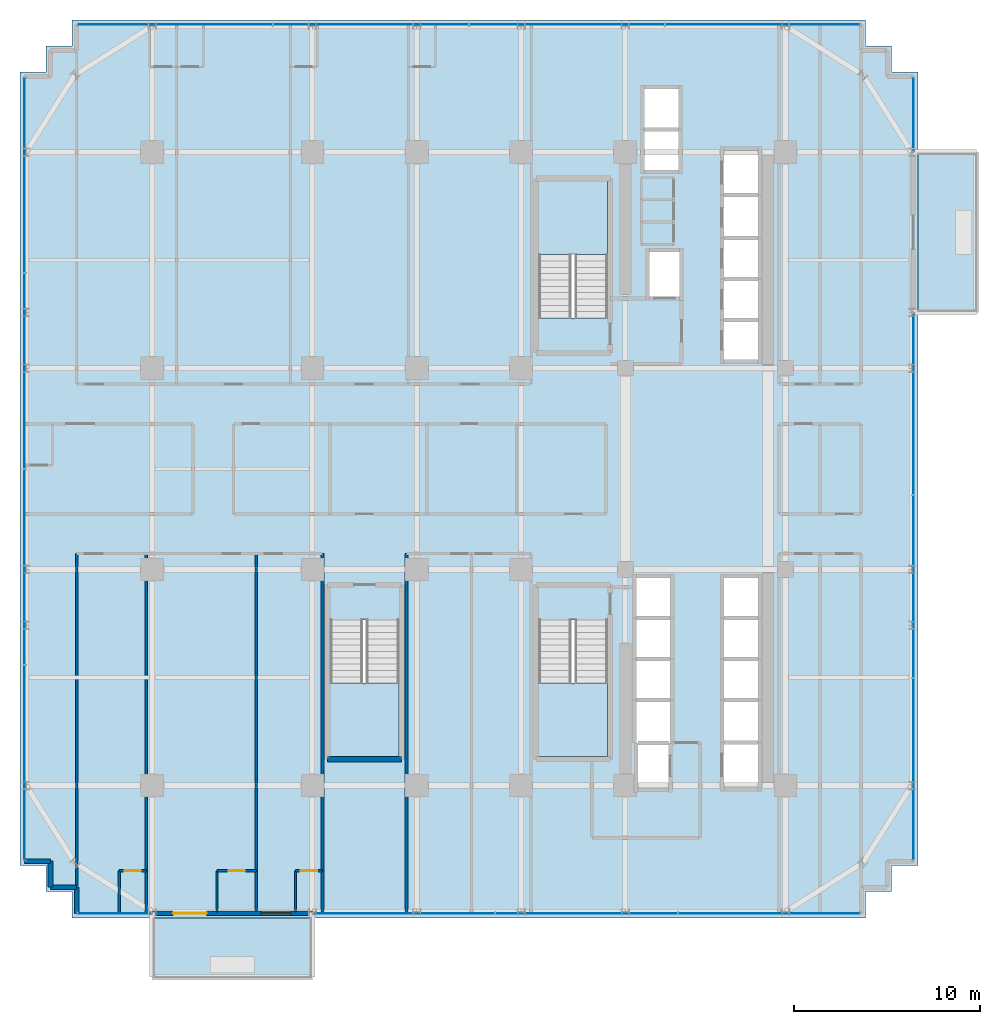
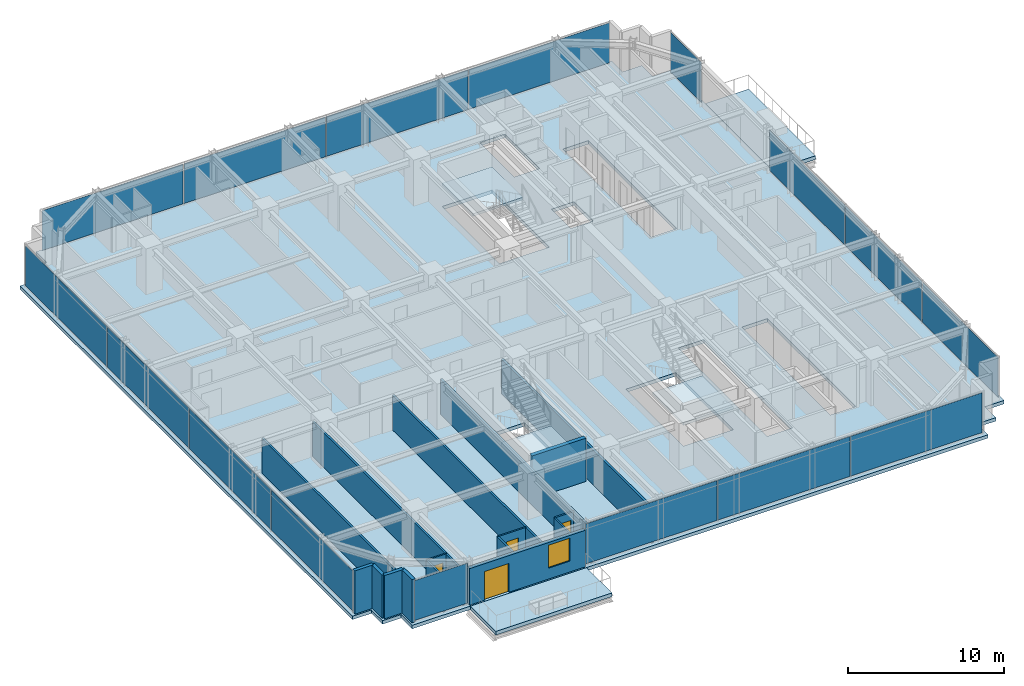
# One storey, part 26 of 33: 17 walls, 16 plates, 6 slabs, 4 doors, 1 window, 5 openings, 9 elements without a shape of their own.
"""IFC4 building model written with IfcOpenShell, lengths in metres."""

from ifc_helpers import new_model, si_unit, direction, frame, frame_2d, origin, origin_2d, place, context, subcontext, project, spatial, polyline, rectangle, outline, extrude, source, transform, mapped, material, layer, layer_set, type_object, element, fill, aggregate, save


model = new_model("IFC4")

# Units and contexts
model_context = context("Model", 3, precision=1e-05, world=origin(), true_north=direction((0.0, 1.0)))
body_context = subcontext(model_context, "Body", "Model", "MODEL_VIEW")
ifc_project = project(units=[si_unit("LENGTHUNIT", "METRE"), si_unit("AREAUNIT", "SQUARE_METRE"), si_unit("VOLUMEUNIT", "CUBIC_METRE"), si_unit("PLANEANGLEUNIT", "RADIAN"), si_unit("MASSUNIT", "GRAM", prefix="KILO")], contexts=[model_context])

# Site, building, storey
site_placement = place(None, origin())
site = spatial("IfcSite", under=ifc_project, at=site_placement, CompositionType="ELEMENT")
building_placement = place(site_placement, origin())
building = spatial("IfcBuilding", under=site, at=building_placement, Name="Nahalor Promenade Grand Hotel", CompositionType="ELEMENT")
storey_placement = place(building_placement, frame((0.0, 0.0, 132.10009765625)))
storey = spatial("IfcBuildingStorey", under=building, at=storey_placement, Name="L33", CompositionType="ELEMENT", Elevation=132.10009765625)

# Stair, slab
ifc_material_1 = material(Name="Concrete B-50 (C40/50)", Category="concrete")
stair_type_1 = type_object("IfcStairType", Name="Stair-ST1", PredefinedType="HALF_TURN_STAIR", material=ifc_material_1)
stair_1_placement = place(storey_placement, origin())
stair_1 = element("IfcStair", 1, at=stair_1_placement, inside=storey, type_object=stair_type_1, Name="L33 ST1", PredefinedType="HALF_TURN_STAIR")
ifc_layer_1 = layer(ifc_material_1, 0.199951171875)
ifc_layer_set_1 = layer_set([ifc_layer_1], Name="Concrete B-50 (C40/50)")
slab_type_1 = type_object("IfcSlabType", Name="Landing-ST1", PredefinedType="LANDING", material=ifc_layer_set_1)
slab_1_placement = place(storey_placement, frame((0.0, 0.0, 1.625)))
slab_1 = element("IfcSlab", 2, at=slab_1_placement, type_object=slab_type_1, Name="ST1 landing 1", PredefinedType="LANDING", context=body_context, shape_type="SweptSolid", body=[
    extrude(outline(polyline([(7.449951171875, 11.5), (7.449951171875, 15.449951171875), (3.75, 15.449951171875), (3.75, 11.5), (7.449951171875, 11.5)])), origin(), (0.0, 0.0, 1.0), 0.199951171875),
])
aggregate(stair_1, [slab_1])

stair_type_2 = type_object("IfcStairType", Name="Stair-ST2", PredefinedType="HALF_TURN_STAIR", material=ifc_material_1)
stair_2_placement = place(storey_placement, origin())
stair_2 = element("IfcStair", 3, at=stair_2_placement, inside=storey, type_object=stair_type_2, Name="L33 ST2", PredefinedType="HALF_TURN_STAIR")
ifc_layer_2 = layer(ifc_material_1, 0.2099609375)
ifc_layer_set_2 = layer_set([ifc_layer_2], Name="Concrete B-50 (C40/50)")
slab_type_2 = type_object("IfcSlabType", Name="Landing-ST2", PredefinedType="LANDING", material=ifc_layer_set_2)
slab_2_placement = place(storey_placement, frame((0.0, 0.0, 1.614990234375)))
slab_2 = element("IfcSlab", 4, at=slab_2_placement, type_object=slab_type_2, Name="ST2 landing 1", PredefinedType="LANDING", context=body_context, shape_type="SweptSolid", body=[
    extrude(outline(polyline([(3.75, -11.5), (3.75, -15.449951171875), (7.449951171875, -15.449951171875), (7.449951171875, -11.5), (3.75, -11.5)])), origin(), (0.0, 0.0, 1.0), 0.2099609375),
])
aggregate(stair_2, [slab_2])

stair_type_3 = type_object("IfcStairType", Name="Stair-ST3", PredefinedType="HALF_TURN_STAIR", material=ifc_material_1)
stair_3_placement = place(storey_placement, origin())
stair_3 = element("IfcStair", 5, at=stair_3_placement, inside=storey, type_object=stair_type_3, Name="L33 ST3", PredefinedType="HALF_TURN_STAIR")
ifc_layer_3 = layer(ifc_material_1, 0.219970703125)
ifc_layer_set_3 = layer_set([ifc_layer_3], Name="Concrete B-50 (C40/50)")
slab_type_3 = type_object("IfcSlabType", Name="Landing-ST3", PredefinedType="LANDING", material=ifc_layer_set_3)
slab_3_placement = place(storey_placement, frame((0.0, 0.0, 1.60498046875)))
slab_3 = element("IfcSlab", 6, at=slab_3_placement, type_object=slab_type_3, Name="ST3 landing 1", PredefinedType="LANDING", context=body_context, shape_type="SweptSolid", body=[
    extrude(outline(polyline([(-7.449951171875, -11.5), (-7.449951171875, -15.449951171875), (-3.75, -15.449951171875), (-3.75, -11.5), (-7.449951171875, -11.5)])), origin(), (0.0, 0.0, 1.0), 0.219970703125),
])
aggregate(stair_3, [slab_3])

# Slabs
ifc_layer_4 = layer(ifc_material_1, 0.280029296875)
ifc_layer_set_4 = layer_set([ifc_layer_4], Name="Concrete B-50 (C40/50)")
slab_type_4 = type_object("IfcSlabType", Name="Slab-Balcony-280", PredefinedType="FLOOR", material=ifc_layer_set_4)
slab_4_placement = place(storey_placement, frame((0.0, 0.0, -0.280029296875)))
element("IfcSlab", 7, at=slab_4_placement, inside=storey, type_object=slab_type_4, Name="L33 Cantilevered Planted Balcony 1", PredefinedType="FLOOR", context=body_context, shape_type="SweptSolid", body=[
    extrude(outline(polyline([(-17.0, -27.3701171875), (-8.39990234375, -27.3701171875), (-8.39990234375, -24.10009765625), (-17.0, -24.10009765625), (-17.0, -27.3701171875)])), origin(), (0.0, 0.0, 1.0), 0.280029296875),
])
slab_5_placement = place(storey_placement, frame((0.0, 0.0, -0.280029296875)))
element("IfcSlab", 8, at=slab_5_placement, inside=storey, type_object=slab_type_4, Name="L33 Cantilevered Planted Balcony 2", PredefinedType="FLOOR", context=body_context, shape_type="SweptSolid", body=[
    extrude(outline(polyline([(24.10009765625, 8.39990234375), (27.320068359375, 8.39990234375), (27.320068359375, 17.0), (24.10009765625, 17.0), (24.10009765625, 8.39990234375)])), origin(), (0.0, 0.0, 1.0), 0.280029296875),
])
ifc_layer_5 = layer(ifc_material_1, 0.27001953125)
ifc_layer_set_5 = layer_set([ifc_layer_5], Name="Concrete B-50 (C40/50)")
slab_type_5 = type_object("IfcSlabType", Name="Slab-TowerZ2-270", PredefinedType="FLOOR", material=ifc_layer_set_5)
slab_6_placement = place(storey_placement, frame((0.0, 0.0, -0.27001953125)))
element("IfcSlab", 9, at=slab_6_placement, inside=storey, type_object=slab_type_5, Name="L33 Suspended Structural Floor Slab", PredefinedType="FLOOR", context=body_context, shape_type="SweptSolid", body=[
    extrude(outline(polyline([(-21.300048828125, -24.10009765625), (21.300048828125, -24.10009765625), (21.300048828125, -22.699951171875), (22.699951171875, -22.699951171875), (22.699951171875, -21.300048828125), (24.10009765625, -21.300048828125), (24.10009765625, 21.300048828125), (22.699951171875, 21.300048828125), (22.699951171875, 22.699951171875), (21.300048828125, 22.699951171875), (21.300048828125, 24.10009765625), (-21.300048828125, 24.10009765625), (-21.300048828125, 22.699951171875), (-22.699951171875, 22.699951171875), (-22.699951171875, 21.300048828125), (-24.10009765625, 21.300048828125), (-24.10009765625, -21.300048828125), (-22.699951171875, -21.300048828125), (-22.699951171875, -22.699951171875), (-21.300048828125, -22.699951171875), (-21.300048828125, -24.10009765625)]), holes=[polyline([(3.75, 8.10009765625), (7.449951171875, 8.10009765625), (7.449951171875, 15.449951171875), (3.75, 15.449951171875), (3.75, 8.10009765625)]), polyline([(3.75, -15.449951171875), (7.449951171875, -15.449951171875), (7.449951171875, -8.10009765625), (3.75, -8.10009765625), (3.75, -15.449951171875)]), polyline([(-7.449951171875, -15.449951171875), (-3.75, -15.449951171875), (-3.75, -8.10009765625), (-7.449951171875, -8.10009765625), (-7.449951171875, -15.449951171875)]), polyline([(13.659912109375, 5.81005859375), (15.5400390625, 5.81005859375), (15.5400390625, 17.139892578125), (13.659912109375, 17.139892578125), (13.659912109375, 5.81005859375)]), polyline([(13.659912109375, -17.139892578125), (15.5400390625, -17.139892578125), (15.5400390625, -5.81005859375), (13.659912109375, -5.81005859375), (13.659912109375, -17.139892578125)]), polyline([(8.9599609375, -17.18994140625), (10.840087890625, -17.18994140625), (10.840087890625, -5.81005859375), (8.9599609375, -5.81005859375), (8.9599609375, -17.18994140625)]), polyline([(9.409912109375, 16.010009765625), (11.2900390625, 16.010009765625), (11.2900390625, 20.43994140625), (9.409912109375, 20.43994140625), (9.409912109375, 16.010009765625)]), polyline([(9.659912109375, 9.2099609375), (11.340087890625, 9.2099609375), (11.340087890625, 11.68994140625), (9.659912109375, 11.68994140625), (9.659912109375, 9.2099609375)])]), origin(), (0.0, 0.0, 1.0), 0.27001953125),
])

# Curtain wall, plate
ifc_material_2 = material(Name="Anodised Bronze Aluminium EN AW-6063 T6", Category="aluminium")
curtain_wall_type = type_object("IfcCurtainWallType", Name="CW2 Typical Hotel Flush Bronze Unitised Curtain Wall", PredefinedType="USERDEFINED", material=ifc_material_2)
curtain_wall_1_placement = place(storey_placement, origin())
curtain_wall_1 = element("IfcCurtainWall", 10, at=curtain_wall_1_placement, inside=storey, type_object=curtain_wall_type, Name="L33 Curtain Wall CW-L33-S-1", ObjectType="UNITISED_CURTAIN_WALL", PredefinedType="USERDEFINED")
ifc_material_3 = material(Name="Low-E Laminated Solar Glass", Category="glass")
ifc_layer_6 = layer(ifc_material_3, 0.028076171875)
ifc_layer_set_6 = layer_set([ifc_layer_6], Name="Low-E Laminated Solar Glass")
plate_type = type_object("IfcPlateType", Name="CWP2 Bronze Low-E Vision IGU 28mm", PredefinedType="CURTAIN_PANEL", material=ifc_layer_set_6)
shared_shape_1 = source(origin(), body_context, "Body", "SweptSolid", [
    extrude(rectangle(XDim=3.929931640625, YDim=0.028076171875, at=origin_2d()), origin(), (0.0, 0.0, 1.0), 3.1201171875),
])
plate_1_placement = place(storey_placement, frame((-19.030029296875, -23.860107421875, 0.1298828125), z_axis=(0.0, 0.0, 1.0), x_axis=(1.0, 0.0, 0.0)))
plate_1 = element("IfcPlate", 11, at=plate_1_placement, type_object=plate_type, Name="CW-L33-S-1 Glazing Panel 0-0", PredefinedType="CURTAIN_PANEL", context=body_context, shape_type="MappedRepresentation", body=[
    mapped(shared_shape_1, transform((0.0, 0.0, 0.0), scale=1.0)),
])
aggregate(curtain_wall_1, [plate_1])

curtain_wall_2_placement = place(storey_placement, origin())
curtain_wall_2 = element("IfcCurtainWall", 12, at=curtain_wall_2_placement, inside=storey, type_object=curtain_wall_type, Name="L33 Curtain Wall CW-L33-E-3", ObjectType="UNITISED_CURTAIN_WALL", PredefinedType="USERDEFINED")
plate_2_placement = place(storey_placement, frame((23.860107421875, 19.030029296875, 0.1298828125), z_axis=(0.0, 0.0, 1.0), x_axis=(0.0, 1.0, 0.0)))
plate_2 = element("IfcPlate", 13, at=plate_2_placement, type_object=plate_type, Name="CW-L33-E-3 Glazing Panel 0-0", PredefinedType="CURTAIN_PANEL", context=body_context, shape_type="MappedRepresentation", body=[
    mapped(shared_shape_1, transform((0.0, 0.0, 0.0), scale=1.0)),
])
aggregate(curtain_wall_2, [plate_2])

# Curtain wall, plates
curtain_wall_3_placement = place(storey_placement, origin())
curtain_wall_3 = element("IfcCurtainWall", 14, at=curtain_wall_3_placement, inside=storey, type_object=curtain_wall_type, Name="L33 Curtain Wall CW-L33-S-3", ObjectType="UNITISED_CURTAIN_WALL", PredefinedType="USERDEFINED")
shared_shape_2 = source(origin(), body_context, "Body", "SweptSolid", [
    extrude(rectangle(XDim=9.722412109375, YDim=0.028076171875, at=origin_2d()), origin(), (0.0, 0.0, 1.0), 3.1201171875),
])
plate_3_placement = place(storey_placement, frame((-3.4736328125, -23.860107421875, 0.1298828125), z_axis=(0.0, 0.0, 1.0), x_axis=(1.0, 0.0, 0.0)))
plate_3 = element("IfcPlate", 15, at=plate_3_placement, type_object=plate_type, Name="CW-L33-S-3 Glazing Panel 0-0", PredefinedType="CURTAIN_PANEL", context=body_context, shape_type="MappedRepresentation", body=[
    mapped(shared_shape_2, transform((0.0, 0.0, 0.0), scale=1.0)),
])
plate_4_placement = place(storey_placement, frame((16.1337890625, -23.860107421875, 0.1298828125), z_axis=(0.0, 0.0, 1.0), x_axis=(1.0, 0.0, 0.0)))
plate_4 = element("IfcPlate", 16, at=plate_4_placement, type_object=plate_type, Name="CW-L33-S-3 Glazing Panel 2-0", PredefinedType="CURTAIN_PANEL", context=body_context, shape_type="MappedRepresentation", body=[
    mapped(shared_shape_2, transform((0.0, 0.0, 0.0), scale=1.0)),
])

curtain_wall_4_placement = place(storey_placement, origin())
curtain_wall_4 = element("IfcCurtainWall", 17, at=curtain_wall_4_placement, inside=storey, type_object=curtain_wall_type, Name="L33 Curtain Wall CW-L33-E-1", ObjectType="UNITISED_CURTAIN_WALL", PredefinedType="USERDEFINED")
plate_5_placement = place(storey_placement, frame((23.860107421875, -16.1337890625, 0.1298828125), z_axis=(0.0, 0.0, 1.0), x_axis=(0.0, 1.0, 0.0)))
plate_5 = element("IfcPlate", 18, at=plate_5_placement, type_object=plate_type, Name="CW-L33-E-1 Glazing Panel 0-0", PredefinedType="CURTAIN_PANEL", context=body_context, shape_type="MappedRepresentation", body=[
    mapped(shared_shape_2, transform((0.0, 0.0, 0.0), scale=1.0)),
])
plate_6_placement = place(storey_placement, frame((23.860107421875, 3.4736328125, 0.1298828125), z_axis=(0.0, 0.0, 1.0), x_axis=(0.0, 1.0, 0.0)))
plate_6 = element("IfcPlate", 19, at=plate_6_placement, type_object=plate_type, Name="CW-L33-E-1 Glazing Panel 2-0", PredefinedType="CURTAIN_PANEL", context=body_context, shape_type="MappedRepresentation", body=[
    mapped(shared_shape_2, transform((0.0, 0.0, 0.0), scale=1.0)),
])

# Plate
shared_shape_3 = source(origin(), body_context, "Body", "SweptSolid", [
    extrude(rectangle(XDim=9.7548828125, YDim=0.028076171875, at=origin_2d()), origin(), (0.0, 0.0, 1.0), 3.1201171875),
])
plate_7_placement = place(storey_placement, frame((6.330078125, -23.860107421875, 0.1298828125), z_axis=(0.0, 0.0, 1.0), x_axis=(1.0, 0.0, 0.0)))
plate_7 = element("IfcPlate", 20, at=plate_7_placement, type_object=plate_type, Name="CW-L33-S-3 Glazing Panel 1-0", PredefinedType="CURTAIN_PANEL", context=body_context, shape_type="MappedRepresentation", body=[
    mapped(shared_shape_3, transform((0.0, 0.0, 0.0), scale=1.0)),
])

aggregate(curtain_wall_3, [plate_3, plate_7, plate_4])

plate_8_placement = place(storey_placement, frame((23.860107421875, -6.330078125, 0.1298828125), z_axis=(0.0, 0.0, 1.0), x_axis=(0.0, 1.0, 0.0)))
plate_8 = element("IfcPlate", 21, at=plate_8_placement, type_object=plate_type, Name="CW-L33-E-1 Glazing Panel 1-0", PredefinedType="CURTAIN_PANEL", context=body_context, shape_type="MappedRepresentation", body=[
    mapped(shared_shape_3, transform((0.0, 0.0, 0.0), scale=1.0)),
])

aggregate(curtain_wall_4, [plate_5, plate_8, plate_6])

# Curtain wall, plates
curtain_wall_5_placement = place(storey_placement, origin())
curtain_wall_5 = element("IfcCurtainWall", 22, at=curtain_wall_5_placement, inside=storey, type_object=curtain_wall_type, Name="L33 Curtain Wall CW-L33-N-1", ObjectType="UNITISED_CURTAIN_WALL", PredefinedType="USERDEFINED")
shared_shape_4 = source(origin(), body_context, "Body", "SweptSolid", [
    extrude(rectangle(XDim=10.4326171875, YDim=0.028076171875, at=origin_2d()), origin(), (0.0, 0.0, 1.0), 3.1201171875),
])
plate_9_placement = place(storey_placement, frame((-15.77880859375, 23.860107421875, 0.1298828125), z_axis=(0.0, 0.0, 1.0), x_axis=(1.0, 0.0, 0.0)))
plate_9 = element("IfcPlate", 23, at=plate_9_placement, type_object=plate_type, Name="CW-L33-N-1 Glazing Panel 0-0", PredefinedType="CURTAIN_PANEL", context=body_context, shape_type="MappedRepresentation", body=[
    mapped(shared_shape_4, transform((0.0, 0.0, 0.0), scale=1.0)),
])
plate_10_placement = place(storey_placement, frame((15.77880859375, 23.860107421875, 0.1298828125), z_axis=(0.0, 0.0, 1.0), x_axis=(1.0, 0.0, 0.0)))
plate_10 = element("IfcPlate", 24, at=plate_10_placement, type_object=plate_type, Name="CW-L33-N-1 Glazing Panel 3-0", PredefinedType="CURTAIN_PANEL", context=body_context, shape_type="MappedRepresentation", body=[
    mapped(shared_shape_4, transform((0.0, 0.0, 0.0), scale=1.0)),
])

curtain_wall_6_placement = place(storey_placement, origin())
curtain_wall_6 = element("IfcCurtainWall", 25, at=curtain_wall_6_placement, inside=storey, type_object=curtain_wall_type, Name="L33 Curtain Wall CW-L33-W-1", ObjectType="UNITISED_CURTAIN_WALL", PredefinedType="USERDEFINED")
plate_11_placement = place(storey_placement, frame((-23.860107421875, -15.77880859375, 0.1298828125), z_axis=(0.0, 0.0, 1.0), x_axis=(0.0, 1.0, 0.0)))
plate_11 = element("IfcPlate", 26, at=plate_11_placement, type_object=plate_type, Name="CW-L33-W-1 Glazing Panel 0-0", PredefinedType="CURTAIN_PANEL", context=body_context, shape_type="MappedRepresentation", body=[
    mapped(shared_shape_4, transform((0.0, 0.0, 0.0), scale=1.0)),
])
plate_12_placement = place(storey_placement, frame((-23.860107421875, 15.77880859375, 0.1298828125), z_axis=(0.0, 0.0, 1.0), x_axis=(0.0, 1.0, 0.0)))
plate_12 = element("IfcPlate", 27, at=plate_12_placement, type_object=plate_type, Name="CW-L33-W-1 Glazing Panel 3-0", PredefinedType="CURTAIN_PANEL", context=body_context, shape_type="MappedRepresentation", body=[
    mapped(shared_shape_4, transform((0.0, 0.0, 0.0), scale=1.0)),
])

# Plate
shared_shape_5 = source(origin(), body_context, "Body", "SweptSolid", [
    extrude(rectangle(XDim=10.465087890625, YDim=0.028076171875, at=origin_2d()), origin(), (0.0, 0.0, 1.0), 3.1201171875),
])
plate_13_placement = place(storey_placement, frame((-5.264892578125, 23.860107421875, 0.1298828125), z_axis=(0.0, 0.0, 1.0), x_axis=(1.0, 0.0, 0.0)))
plate_13 = element("IfcPlate", 28, at=plate_13_placement, type_object=plate_type, Name="CW-L33-N-1 Glazing Panel 1-0", PredefinedType="CURTAIN_PANEL", context=body_context, shape_type="MappedRepresentation", body=[
    mapped(shared_shape_5, transform((0.0, 0.0, 0.0), scale=1.0)),
])

plate_14_placement = place(storey_placement, frame((5.264892578125, 23.860107421875, 0.1298828125), z_axis=(0.0, 0.0, 1.0), x_axis=(1.0, 0.0, 0.0)))
plate_14 = element("IfcPlate", 29, at=plate_14_placement, type_object=plate_type, Name="CW-L33-N-1 Glazing Panel 2-0", PredefinedType="CURTAIN_PANEL", context=body_context, shape_type="MappedRepresentation", body=[
    mapped(shared_shape_5, transform((0.0, 0.0, 0.0), scale=1.0)),
])

aggregate(curtain_wall_5, [plate_9, plate_13, plate_14, plate_10])

plate_15_placement = place(storey_placement, frame((-23.860107421875, -5.264892578125, 0.1298828125), z_axis=(0.0, 0.0, 1.0), x_axis=(0.0, 1.0, 0.0)))
plate_15 = element("IfcPlate", 30, at=plate_15_placement, type_object=plate_type, Name="CW-L33-W-1 Glazing Panel 1-0", PredefinedType="CURTAIN_PANEL", context=body_context, shape_type="MappedRepresentation", body=[
    mapped(shared_shape_5, transform((0.0, 0.0, 0.0), scale=1.0)),
])

plate_16_placement = place(storey_placement, frame((-23.860107421875, 5.264892578125, 0.1298828125), z_axis=(0.0, 0.0, 1.0), x_axis=(0.0, 1.0, 0.0)))
plate_16 = element("IfcPlate", 31, at=plate_16_placement, type_object=plate_type, Name="CW-L33-W-1 Glazing Panel 2-0", PredefinedType="CURTAIN_PANEL", context=body_context, shape_type="MappedRepresentation", body=[
    mapped(shared_shape_5, transform((0.0, 0.0, 0.0), scale=1.0)),
])

aggregate(curtain_wall_6, [plate_11, plate_15, plate_16, plate_12])

# Walls
ifc_layer_7 = layer(ifc_material_1, 0.300048828125)
ifc_layer_set_7 = layer_set([ifc_layer_7], Name="Concrete B-50 (C40/50)")
wall_type_1 = type_object("IfcWallType", Name="Wall-ShaftShear-300", PredefinedType="SHEAR", material=ifc_layer_set_7)
shared_shape_6 = source(origin(), body_context, "Body", "SweptSolid", [
    extrude(rectangle(XDim=3.97998046875, YDim=0.300048828125, at=frame_2d((1.989990234375, 0.0))), origin(), (0.0, 0.0, 1.0), 3.3798828125),
])
wall_1_placement = place(storey_placement, frame((-7.590087890625, -15.590087890625, 0.0), z_axis=(0.0, 0.0, 1.0), x_axis=(1.0, 0.0, 0.0)))
element("IfcWall", 32, at=wall_1_placement, inside=storey, type_object=wall_type_1, Name="L33 Exit Stair ST3 Shaft Wall S", PredefinedType="SHEAR", context=body_context, shape_type="MappedRepresentation", body=[
    mapped(shared_shape_6, transform((0.0, 0.0, 0.0), scale=1.0)),
])
ifc_material_4 = material(Name="Concrete B-40 (C32/40)", Category="concrete")
ifc_layer_8 = layer(ifc_material_4, 0.25)
ifc_layer_set_8 = layer_set([ifc_layer_8], Name="Concrete B-40 (C32/40)")
wall_type_2 = type_object("IfcWallType", Name="Wall-BronzePier-250", PredefinedType="STANDARD", material=ifc_layer_set_8)
shared_shape_7 = source(origin(), body_context, "Body", "SweptSolid", [
    extrude(rectangle(XDim=1.400146484375, YDim=0.25, at=frame_2d((0.7001953125, 0.0))), origin(), (0.0, 0.0, 1.0), 3.3798828125),
])
for number, where, z_axis, x_axis, name in (
    (33, (-23.860107421875, -21.06005859375, 0.0), (0.0, 0.0, 1.0), (1.0, 0.0, 0.0), "W-L33-SR-13"),
    (34, (-21.06005859375, -23.860107421875, 0.0), (0.0, 0.0, 1.0), (0.0, 1.0, 0.0), "W-L33-SR-16"),
):
    element("IfcWall", number, at=place(storey_placement, frame(where, z_axis=z_axis, x_axis=x_axis)), inside=storey, type_object=wall_type_2, Name=name, PredefinedType="STANDARD", context=body_context, shape_type="MappedRepresentation", body=[
        mapped(shared_shape_7, transform((0.0, 0.0, 0.0), scale=1.0)),
    ])
shared_shape_8 = source(origin(), body_context, "Body", "SweptSolid", [
    extrude(rectangle(XDim=1.39990234375, YDim=0.25, at=frame_2d((0.699951171875, 0.0))), origin(), (0.0, 0.0, 1.0), 3.3798828125),
])
for number, where, z_axis, x_axis, name in (
    (35, (-22.4599609375, -22.4599609375, 0.0), (0.0, 0.0, 1.0), (0.0, 1.0, 0.0), "W-L33-SR-14"),
    (36, (-22.4599609375, -22.4599609375, 0.0), (0.0, 0.0, 1.0), (1.0, 0.0, 0.0), "W-L33-SR-15"),
):
    element("IfcWall", number, at=place(storey_placement, frame(where, z_axis=z_axis, x_axis=x_axis)), inside=storey, type_object=wall_type_2, Name=name, PredefinedType="STANDARD", context=body_context, shape_type="MappedRepresentation", body=[
        mapped(shared_shape_8, transform((0.0, 0.0, 0.0), scale=1.0)),
    ])

# Wall, openings, door, window
ifc_layer_9 = layer(ifc_material_4, 0.260009765625)
ifc_layer_set_9 = layer_set([ifc_layer_9], Name="Concrete B-40 (C32/40)")
wall_type_3 = type_object("IfcWallType", Name="Wall-BalconyWall-260", PredefinedType="STANDARD", material=ifc_layer_set_9)
shared_shape_9 = source(origin(), body_context, "Body", "SweptSolid", [
    extrude(rectangle(XDim=8.60009765625, YDim=0.260009765625, at=frame_2d((4.300048828125, 0.0))), origin(), (0.0, 0.0, 1.0), 2.85986328125),
])
wall_2_placement = place(storey_placement, frame((-17.0, -23.860107421875, 0.0), z_axis=(0.0, 0.0, 1.0), x_axis=(1.0, 0.0, 0.0)))
wall_2 = element("IfcWall", 37, at=wall_2_placement, inside=storey, type_object=wall_type_3, Name="W-L33-BALC-S-2", PredefinedType="STANDARD", context=body_context, shape_type="MappedRepresentation", body=[
    mapped(shared_shape_9, transform((0.0, 0.0, 0.0), scale=1.0)),
])
opening_1_placement = place(wall_2_placement, frame((1.114990234375, 0.0, 0.0)))
opening_1 = element("IfcOpeningElement", 38, at=opening_1_placement, cuts=wall_2, Name="Opening D-BC1", PredefinedType="OPENING", context=body_context, shape_type="SweptSolid", body=[
    extrude(rectangle(XDim=1.800048828125, YDim=2.25, at=frame_2d((0.89990234375, 1.125))), frame((0.0, 0.139892578125, 0.0), z_axis=(0.0, -1.0, 0.0), x_axis=(1.0, 0.0, 0.0)), (0.0, 0.0, 1.0), 0.280029296875),
])
opening_2_placement = place(wall_2_placement, frame((5.840087890625, 0.0, 0.85009765625)))
opening_2 = element("IfcOpeningElement", 39, at=opening_2_placement, cuts=wall_2, Name="Opening WN-03", PredefinedType="OPENING", context=body_context, shape_type="SweptSolid", body=[
    extrude(rectangle(XDim=1.60009765625, YDim=1.800048828125, at=frame_2d((0.800048828125, 0.89990234375))), frame((0.0, 0.139892578125, 0.0), z_axis=(0.0, -1.0, 0.0), x_axis=(1.0, 0.0, 0.0)), (0.0, 0.0, 1.0), 0.280029296875),
])
door_type_1 = type_object("IfcDoorType", Name="Door-BalconySlide-1800", OperationType="DOUBLE_DOOR_SLIDING", PredefinedType="DOOR", material=ifc_material_2)
shared_shape_10 = source(origin(), body_context, "Body", "SweptSolid", [
    extrude(rectangle(XDim=1.800048828125, YDim=2.25, at=frame_2d((0.89990234375, 1.125))), frame((0.0, 0.02490234375, 0.0), z_axis=(0.0, -1.0, 0.0), x_axis=(1.0, 0.0, 0.0)), (0.0, 0.0, 1.0), 0.050048828125),
])
door_1_placement = place(opening_1_placement, frame((1.800048828125, 0.0, 0.0), z_axis=(0.0, 0.0, 1.0), x_axis=(-1.0, 0.0, 0.0)))
door_1 = element("IfcDoor", 40, at=door_1_placement, inside=storey, type_object=door_type_1, Name="DR-L33-BALC-S-2", OperationType="DOUBLE_DOOR_SLIDING", OverallHeight=2.25, OverallWidth=1.800048828125, PredefinedType="DOOR", context=body_context, shape_type="MappedRepresentation", body=[
    mapped(shared_shape_10, transform((0.0, 0.0, 0.0), scale=1.0)),
])
fill(opening_1, door_1)
window_type = type_object("IfcWindowType", Name="Win-CrownVented-1600x1800", PartitioningType="SINGLE_PANEL", PredefinedType="WINDOW", material=ifc_material_3)
shared_shape_11 = source(origin(), body_context, "Body", "SweptSolid", [
    extrude(rectangle(XDim=1.60009765625, YDim=1.800048828125, at=frame_2d((0.800048828125, 0.89990234375))), frame((0.0, 0.030029296875, 0.0), z_axis=(0.0, -1.0, 0.0), x_axis=(1.0, 0.0, 0.0)), (0.0, 0.0, 1.0), 0.06005859375),
])
window_placement = place(opening_2_placement, origin())
window = element("IfcWindow", 41, at=window_placement, inside=storey, type_object=window_type, Name="WN-L33-BALC-S-2-1", OverallHeight=1.800048828125, OverallWidth=1.60009765625, PartitioningType="SINGLE_PANEL", PredefinedType="WINDOW", context=body_context, shape_type="MappedRepresentation", body=[
    mapped(shared_shape_11, transform((0.0, 0.0, 0.0), scale=1.0)),
])
fill(opening_2, window)

# Walls
ifc_material_5 = material(Name="Acoustic Mineral Gypsum", Category="gypsum")
ifc_layer_10 = layer(ifc_material_5, 0.159912109375)
ifc_layer_set_10 = layer_set([ifc_layer_10], Name="Acoustic Mineral Gypsum")
wall_type_4 = type_object("IfcWallType", Name="Wall-PartCorridor-160", PredefinedType="PARTITIONING", material=ifc_layer_set_10)
shared_shape_12 = source(origin(), body_context, "Body", "SweptSolid", [
    extrude(rectangle(XDim=19.25, YDim=0.159912109375, at=frame_2d((9.625, 0.0))), origin(), (0.0, 0.0, 1.0), 2.719970703125),
])
wall_3_placement = place(storey_placement, frame((-3.340087890625, -23.800048828125, 0.0), z_axis=(0.0, 0.0, 1.0), x_axis=(0.0, 1.0, 0.0)))
element("IfcWall", 42, at=wall_3_placement, inside=storey, type_object=wall_type_4, Name="W-L33-SCB1-W", PredefinedType="PARTITIONING", context=body_context, shape_type="MappedRepresentation", body=[
    mapped(shared_shape_12, transform((0.0, 0.0, 0.0), scale=1.0)),
])
ifc_layer_11 = layer(ifc_material_5, 0.139892578125)
ifc_layer_set_11 = layer_set([ifc_layer_11], Name="Acoustic Mineral Gypsum")
wall_type_5 = type_object("IfcWallType", Name="Wall-PartSuite-140", PredefinedType="PARTITIONING", material=ifc_layer_set_11)
shared_shape_13 = source(origin(), body_context, "Body", "SweptSolid", [
    extrude(rectangle(XDim=17.829833984375, YDim=0.139892578125, at=frame_2d((8.9150390625, 0.0))), origin(), (0.0, 0.0, 1.0), 2.719970703125),
])
wall_4_placement = place(storey_placement, frame((-21.06005859375, -22.3798828125, 0.0), z_axis=(0.0, 0.0, 1.0), x_axis=(0.0, 1.0, 0.0)))
element("IfcWall", 43, at=wall_4_placement, inside=storey, type_object=wall_type_5, Name="W-L33-SW-ENDW", PredefinedType="PARTITIONING", context=body_context, shape_type="MappedRepresentation", body=[
    mapped(shared_shape_13, transform((0.0, 0.0, 0.0), scale=1.0)),
])
shared_shape_14 = source(origin(), body_context, "Body", "SweptSolid", [
    extrude(rectangle(XDim=19.25, YDim=0.139892578125, at=frame_2d((9.625, 0.0))), origin(), (0.0, 0.0, 1.0), 2.719970703125),
])
for number, where, z_axis, x_axis, name in (
    (44, (-7.860107421875, -23.800048828125, 0.0), (0.0, 0.0, 1.0), (0.0, 1.0, 0.0), "W-L33-SW-ENDE"),
    (45, (-17.322021484375, -23.800048828125, 0.0), (0.0, 0.0, 1.0), (0.0, 1.0, 0.0), "W-L33-SP-1"),
    (46, (-11.409912109375, -23.800048828125, 0.0), (0.0, 0.0, 1.0), (0.0, 1.0, 0.0), "W-L33-SP-2"),
):
    element("IfcWall", number, at=place(storey_placement, frame(where, z_axis=z_axis, x_axis=x_axis)), inside=storey, type_object=wall_type_5, Name=name, PredefinedType="PARTITIONING", context=body_context, shape_type="MappedRepresentation", body=[
        mapped(shared_shape_14, transform((0.0, 0.0, 0.0), scale=1.0)),
    ])
ifc_layer_12 = layer(ifc_material_5, 0.1201171875)
ifc_layer_set_12 = layer_set([ifc_layer_12], Name="Acoustic Mineral Gypsum")
wall_type_6 = type_object("IfcWallType", Name="Wall-PartBath-120", PredefinedType="PARTITIONING", material=ifc_layer_set_12)
shared_shape_15 = source(origin(), body_context, "Body", "SweptSolid", [
    extrude(rectangle(XDim=2.219970703125, YDim=0.1201171875, at=frame_2d((1.10986328125, 0.0))), origin(), (0.0, 0.0, 1.0), 2.719970703125),
])
for number, where, z_axis, x_axis, name in (
    (47, (-18.77197265625, -23.800048828125, 0.0), (0.0, 0.0, 1.0), (0.0, 1.0, 0.0), "W-L33-S1-BV"),
    (48, (-13.52001953125, -23.800048828125, 0.0), (0.0, 0.0, 1.0), (0.0, 1.0, 0.0), "W-L33-S2-BV"),
    (49, (-9.31005859375, -23.800048828125, 0.0), (0.0, 0.0, 1.0), (0.0, 1.0, 0.0), "W-L33-S3-BV"),
):
    element("IfcWall", number, at=place(storey_placement, frame(where, z_axis=z_axis, x_axis=x_axis)), inside=storey, type_object=wall_type_6, Name=name, PredefinedType="PARTITIONING", context=body_context, shape_type="MappedRepresentation", body=[
        mapped(shared_shape_15, transform((0.0, 0.0, 0.0), scale=1.0)),
    ])

# Wall, opening, door
shared_shape_16 = source(origin(), body_context, "Body", "SweptSolid", [
    extrude(rectangle(XDim=1.449951171875, YDim=0.1201171875, at=frame_2d((0.72509765625, 0.0))), origin(), (0.0, 0.0, 1.0), 2.719970703125),
])
wall_5_placement = place(storey_placement, frame((-18.77197265625, -21.580078125, 0.0), z_axis=(0.0, 0.0, 1.0), x_axis=(1.0, 0.0, 0.0)))
wall_5 = element("IfcWall", 50, at=wall_5_placement, inside=storey, type_object=wall_type_6, Name="W-L33-S1-BH", PredefinedType="PARTITIONING", context=body_context, shape_type="MappedRepresentation", body=[
    mapped(shared_shape_16, transform((0.0, 0.0, 0.0), scale=1.0)),
])
opening_3_placement = place(wall_5_placement, frame((0.284912109375, 0.0, 0.0)))
opening_3 = element("IfcOpeningElement", 51, at=opening_3_placement, cuts=wall_5, Name="Opening D-03", PredefinedType="OPENING", context=body_context, shape_type="SweptSolid", body=[
    extrude(rectangle(XDim=0.8798828125, YDim=2.10009765625, at=frame_2d((0.43994140625, 1.050048828125))), frame((0.0, 0.070068359375, 0.0), z_axis=(0.0, -1.0, 0.0), x_axis=(1.0, 0.0, 0.0)), (0.0, 0.0, 1.0), 0.14013671875),
])
ifc_material_6 = material(Name="Fire-Rated Timber Composite", Category="wood")
door_type_2 = type_object("IfcDoorType", Name="Door-BathSwing-880", OperationType="NOTDEFINED", PredefinedType="DOOR", material=ifc_material_6)
shared_shape_17 = source(origin(), body_context, "Body", "SweptSolid", [
    extrude(rectangle(XDim=0.8798828125, YDim=2.10009765625, at=frame_2d((0.43994140625, 1.050048828125))), frame((0.0, 0.02490234375, 0.0), z_axis=(0.0, -1.0, 0.0), x_axis=(1.0, 0.0, 0.0)), (0.0, 0.0, 1.0), 0.050048828125),
])
door_2_placement = place(opening_3_placement, frame((0.8798828125, 0.0, 0.0), z_axis=(0.0, 0.0, 1.0), x_axis=(-1.0, 0.0, 0.0)))
door_2 = element("IfcDoor", 52, at=door_2_placement, inside=storey, type_object=door_type_2, Name="DR-L33-S1-BATH", OperationType="SINGLE_SWING_LEFT", OverallHeight=2.10009765625, OverallWidth=0.8798828125, PredefinedType="DOOR", context=body_context, shape_type="MappedRepresentation", body=[
    mapped(shared_shape_17, transform((0.0, 0.0, 0.0), scale=1.0)),
])
fill(opening_3, door_2)

wall_6_placement = place(storey_placement, frame((-9.31005859375, -21.580078125, 0.0), z_axis=(0.0, 0.0, 1.0), x_axis=(1.0, 0.0, 0.0)))
wall_6 = element("IfcWall", 53, at=wall_6_placement, inside=storey, type_object=wall_type_6, Name="W-L33-S3-BH", PredefinedType="PARTITIONING", context=body_context, shape_type="MappedRepresentation", body=[
    mapped(shared_shape_16, transform((0.0, 0.0, 0.0), scale=1.0)),
])
opening_4_placement = place(wall_6_placement, frame((0.284912109375, 0.0, 0.0)))
opening_4 = element("IfcOpeningElement", 54, at=opening_4_placement, cuts=wall_6, Name="Opening D-03", PredefinedType="OPENING", context=body_context, shape_type="SweptSolid", body=[
    extrude(rectangle(XDim=0.8798828125, YDim=2.10009765625, at=frame_2d((0.43994140625, 1.050048828125))), frame((0.0, 0.070068359375, 0.0), z_axis=(0.0, -1.0, 0.0), x_axis=(1.0, 0.0, 0.0)), (0.0, 0.0, 1.0), 0.14013671875),
])
door_3_placement = place(opening_4_placement, frame((0.8798828125, 0.0, 0.0), z_axis=(0.0, 0.0, 1.0), x_axis=(-1.0, 0.0, 0.0)))
door_3 = element("IfcDoor", 55, at=door_3_placement, inside=storey, type_object=door_type_2, Name="DR-L33-S3-BATH", OperationType="SINGLE_SWING_LEFT", OverallHeight=2.10009765625, OverallWidth=0.8798828125, PredefinedType="DOOR", context=body_context, shape_type="MappedRepresentation", body=[
    mapped(shared_shape_17, transform((0.0, 0.0, 0.0), scale=1.0)),
])
fill(opening_4, door_3)

shared_shape_18 = source(origin(), body_context, "Body", "SweptSolid", [
    extrude(rectangle(XDim=2.110107421875, YDim=0.1201171875, at=frame_2d((1.05517578125, 0.0))), origin(), (0.0, 0.0, 1.0), 2.719970703125),
])
wall_7_placement = place(storey_placement, frame((-13.52001953125, -21.580078125, 0.0), z_axis=(0.0, 0.0, 1.0), x_axis=(1.0, 0.0, 0.0)))
wall_7 = element("IfcWall", 56, at=wall_7_placement, inside=storey, type_object=wall_type_6, Name="W-L33-S2-BH", PredefinedType="PARTITIONING", context=body_context, shape_type="MappedRepresentation", body=[
    mapped(shared_shape_18, transform((0.0, 0.0, 0.0), scale=1.0)),
])
opening_5_placement = place(wall_7_placement, frame((0.614990234375, 0.0, 0.0)))
opening_5 = element("IfcOpeningElement", 57, at=opening_5_placement, cuts=wall_7, Name="Opening D-03", PredefinedType="OPENING", context=body_context, shape_type="SweptSolid", body=[
    extrude(rectangle(XDim=0.8798828125, YDim=2.10009765625, at=frame_2d((0.43994140625, 1.050048828125))), frame((0.0, 0.070068359375, 0.0), z_axis=(0.0, -1.0, 0.0), x_axis=(1.0, 0.0, 0.0)), (0.0, 0.0, 1.0), 0.14013671875),
])
door_4_placement = place(opening_5_placement, frame((0.8798828125, 0.0, 0.0), z_axis=(0.0, 0.0, 1.0), x_axis=(-1.0, 0.0, 0.0)))
door_4 = element("IfcDoor", 58, at=door_4_placement, inside=storey, type_object=door_type_2, Name="DR-L33-S2-BATH", OperationType="SINGLE_SWING_LEFT", OverallHeight=2.10009765625, OverallWidth=0.8798828125, PredefinedType="DOOR", context=body_context, shape_type="MappedRepresentation", body=[
    mapped(shared_shape_17, transform((0.0, 0.0, 0.0), scale=1.0)),
])
fill(opening_5, door_4)

save(model, "model.ifc")
